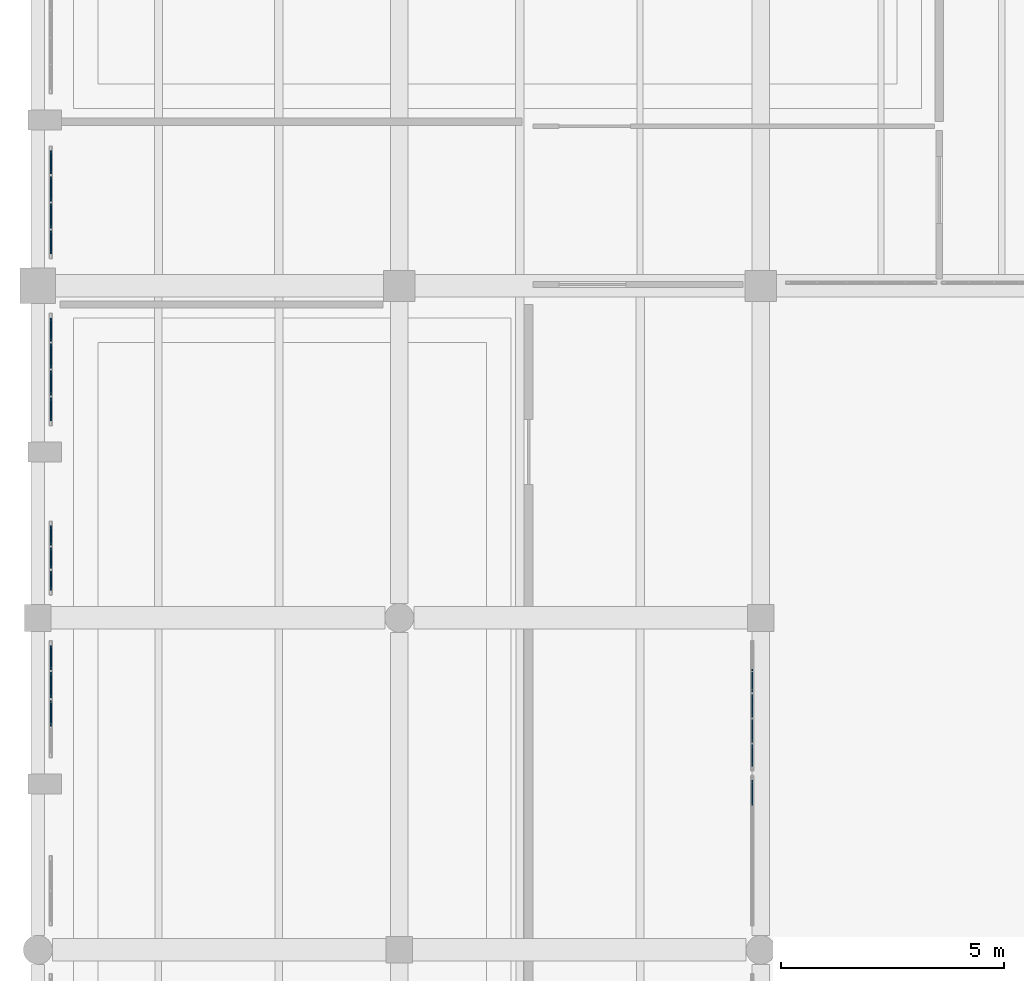
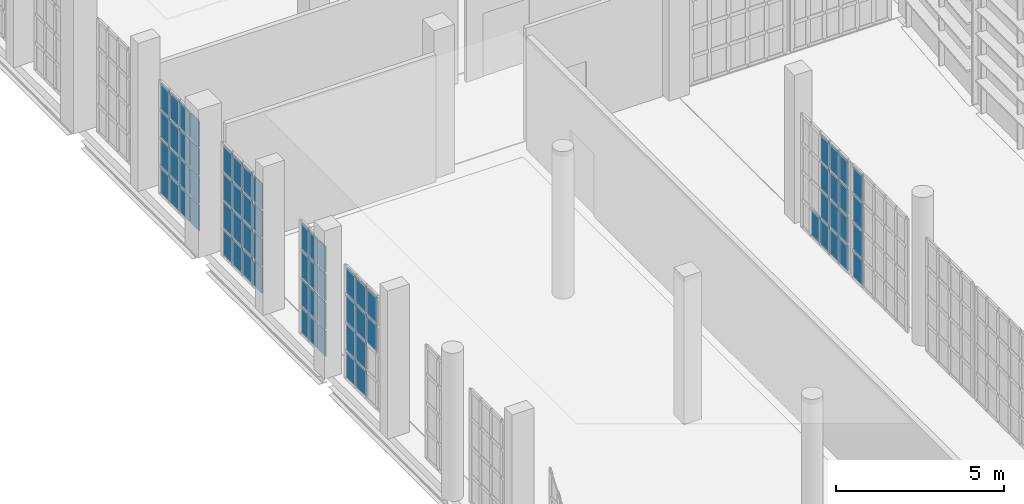
# One storey, part 324 of 372: 71 plates, 6 elements without a shape of their own.
"""IFC4 building model written with IfcOpenShell, lengths in metres."""

import ifcopenshell
import ifcopenshell.guid

model = None  # the IFC model being written
_history = None  # IfcOwnerHistory: only IFC2X3 demands one
_inside = {}  # id of a spatial element -> (the spatial element, [elements in it])
_under = {}  # id of a project, library or spatial element -> (it, [spatial elements below it])
_declared = {}  # id of a project -> (the project, [libraries it declares])
_typed = {}  # id of a type object -> (the type object, [elements of that type])
_made_of = {}  # id of a material, layer set ... -> (it, [elements and type objects made of it])


def new_model(schema):
    """Start an empty IFC model of exactly this schema.

    Asked for "IFC4X3", IfcOpenShell would pick the latest addendum, in which some entities
    have other attributes; the version numbers below select the first issue.
    IFC2X3 requires an IfcOwnerHistory on every rooted entity: one is made here for all.
    """
    global model, _history
    if schema == "IFC4X3":
        model = ifcopenshell.file(schema_version=(4, 3, 0, 0))
    else:
        model = ifcopenshell.file(schema=schema)
    _inside.clear()
    _under.clear()
    _declared.clear()
    _typed.clear()
    _made_of.clear()
    _history = None
    if model.schema == "IFC2X3":
        org = make("IfcOrganization", Name="unknown")
        user = make(
            "IfcPersonAndOrganization",
            ThePerson=make("IfcPerson", FamilyName="unknown"),
            TheOrganization=org,
        )
        app = make(
            "IfcApplication",
            ApplicationDeveloper=org,
            Version="unknown",
            ApplicationFullName="unknown",
            ApplicationIdentifier="unknown",
        )
        _history = make(
            "IfcOwnerHistory",
            OwningUser=user,
            OwningApplication=app,
            ChangeAction="ADDED",
            CreationDate=0,
        )
    return model


def make(cls, **values):
    """One entity of the class cls with the attributes given. An attribute that is None is left unset."""
    return model.create_entity(
        cls, **{name: value for name, value in values.items() if value is not None}
    )


def rooted(cls, **values):
    """An entity with a GlobalId (a new one), such as an element, a storey or a relation."""
    return make(cls, GlobalId=ifcopenshell.guid.new(), OwnerHistory=_history, **values)


def si_unit(unit_type, name, prefix=None):
    """IfcSIUnit, for example si_unit("LENGTHUNIT", "METRE", prefix="MILLI")."""
    return make("IfcSIUnit", UnitType=unit_type, Prefix=prefix, Name=name)


def assignment(units):
    """IfcUnitAssignment: the units of a project."""
    return None if units is None else make("IfcUnitAssignment", Units=units)


def point(xyz):
    """IfcCartesianPoint."""
    return None if xyz is None else make("IfcCartesianPoint", Coordinates=xyz)


def direction(xyz):
    """IfcDirection."""
    return None if xyz is None else make("IfcDirection", DirectionRatios=xyz)


def frame(location, z_axis=None, x_axis=None):
    """IfcAxis2Placement3D, a coordinate frame: its origin and axes. An axis left out is left unset."""
    return make(
        "IfcAxis2Placement3D",
        Location=point(location),
        Axis=direction(z_axis),
        RefDirection=direction(x_axis),
    )


def frame_2d(location, x_axis=None):
    """IfcAxis2Placement2D, a coordinate frame in the plane: its origin and x axis."""
    return make(
        "IfcAxis2Placement2D", Location=point(location), RefDirection=direction(x_axis)
    )


def origin():
    """The frame at (0, 0, 0) with its axes left unset."""
    return frame((0.0, 0.0, 0.0))


def origin_2d():
    """The frame at (0, 0) in the plane with its x axis left unset."""
    return frame_2d((0.0, 0.0))


def place(relative_to, where):
    """IfcLocalPlacement: puts the frame where relative to a parent placement (None: the world)."""
    return make(
        "IfcLocalPlacement", PlacementRelTo=relative_to, RelativePlacement=where
    )


def context(
    kind, dimensions, precision=None, world=None, true_north=None, identifier=None
):
    """IfcGeometricRepresentationContext, for example the 3D "Model" context."""
    return make(
        "IfcGeometricRepresentationContext",
        ContextIdentifier=identifier,
        ContextType=kind,
        CoordinateSpaceDimension=dimensions,
        Precision=precision,
        WorldCoordinateSystem=world,
        TrueNorth=true_north,
    )


def subcontext(parent, identifier, kind, view, scale=None):
    """IfcGeometricRepresentationSubContext, for example "Body" below "Model"."""
    return make(
        "IfcGeometricRepresentationSubContext",
        ContextIdentifier=identifier,
        ContextType=kind,
        ParentContext=parent,
        TargetScale=scale,
        TargetView=view,
    )


def project(units=None, contexts=None):
    """IfcProject with its units and contexts."""
    return rooted(
        "IfcProject",
        Name="project",
        RepresentationContexts=contexts,
        UnitsInContext=assignment(units),
    )


def spatial(cls, under=None, at=None, **own):
    """A site, building, storey or space (cls), placed at a placement, below another one or the project."""
    s = rooted(cls, ObjectPlacement=at, **own)
    if under is not None:
        _under.setdefault(under.id(), (under, []))[1].append(s)
    return s


def profile(cls, at=None, kind="AREA", **sizes):
    """A parametric profile (cls). Its sizes go by their IFC names, for example OverallWidth=200.0."""
    return make(cls, ProfileType=kind, Position=at, **sizes)


def rectangle(**sizes):
    """IfcRectangleProfileDef."""
    return profile("IfcRectangleProfileDef", **sizes)


def extrude(swept, where, along, depth):
    """IfcExtrudedAreaSolid: the profile swept, set in the frame where, extruded along a direction by depth."""
    return make(
        "IfcExtrudedAreaSolid",
        SweptArea=swept,
        Position=where,
        ExtrudedDirection=direction(along),
        Depth=depth,
    )


def shape(context_of_items, identifier, shape_type, items):
    """IfcShapeRepresentation: the items that make up one representation, for example the "Body"."""
    return make(
        "IfcShapeRepresentation",
        ContextOfItems=context_of_items,
        RepresentationIdentifier=identifier,
        RepresentationType=shape_type,
        Items=items,
    )


def material(Name=None, Category=None):
    """IfcMaterial."""
    return make("IfcMaterial", Name=Name, Category=Category)


def layer(
    of_material, thickness, ventilated=None, Name=None, Category=None, Priority=None
):
    """IfcMaterialLayer: one layer of a wall or slab, of a material (None: an air gap)."""
    return make(
        "IfcMaterialLayer",
        Material=of_material,
        LayerThickness=thickness,
        IsVentilated=ventilated,
        Name=Name,
        Category=Category,
        Priority=Priority,
    )


def layer_set(layers, Name=None):
    """IfcMaterialLayerSet."""
    return make("IfcMaterialLayerSet", MaterialLayers=layers, LayerSetName=Name)


def made_of(thing, what):
    """Note that an element or type object is made of a material, layer set ...; save() writes the relation."""
    if what is not None:
        _made_of.setdefault(what.id(), (what, []))[1].append(thing)
    return thing


def type_object(cls, material=None, **own):
    """A type object (cls), such as IfcWallType, which elements share."""
    return made_of(rooted(cls, **own), material)


def element(
    cls,
    number,
    at=None,
    inside=None,
    cuts=None,
    type_object=None,
    material=None,
    context=None,
    identifier="Body",
    shape_type=None,
    held_by="IfcProductDefinitionShape",
    body=None,
    shapes=None,
    **own,
):
    """One element of the class cls, such as IfcWall. Its Tag is "e" and its number.

    at: its placement. inside: the storey or other place that contains it. cuts: it is an
    opening in that element (IfcRelVoidsElement). A single representation is given by context,
    identifier, shape_type and body (its items); several are given by shapes. held_by: the class
    of the entity that holds the representations. save() writes the other relations.
    """
    e = rooted(cls, Tag="e%d" % number, ObjectPlacement=at, **own)
    if body is not None:
        shapes = [shape(context, identifier, shape_type, body)]
    if shapes is not None:
        e.Representation = make(held_by, Representations=shapes)
    if inside is not None:
        _inside.setdefault(inside.id(), (inside, []))[1].append(e)
    if cuts is not None:
        rooted(
            "IfcRelVoidsElement", RelatingBuildingElement=cuts, RelatedOpeningElement=e
        )
    if type_object is not None:
        _typed.setdefault(type_object.id(), (type_object, []))[1].append(e)
    return made_of(e, material)


def aggregate(whole, parts):
    """IfcRelAggregates: a whole, such as a stair, and the parts it consists of."""
    return rooted("IfcRelAggregates", RelatingObject=whole, RelatedObjects=parts)


def save(model, path):
    """Write the relations noted so far, then the file.

    IfcRelAggregates (storeys below a building ...), IfcRelContainedInSpatialStructure (elements
    in a storey), IfcRelDefinesByType, IfcRelAssociatesMaterial and IfcRelDeclares: one each for
    every whole, place, type object, material and project.
    """
    for whole, parts in _under.values():
        aggregate(whole, parts)
    for where, things in _inside.values():
        rooted(
            "IfcRelContainedInSpatialStructure",
            RelatedElements=things,
            RelatingStructure=where,
        )
    for kind, things in _typed.values():
        rooted("IfcRelDefinesByType", RelatedObjects=things, RelatingType=kind)
    for what, things in _made_of.values():
        rooted("IfcRelAssociatesMaterial", RelatedObjects=things, RelatingMaterial=what)
    for by, libraries in _declared.values():
        rooted("IfcRelDeclares", RelatingContext=by, RelatedDefinitions=libraries)
    model.write(path)


model = new_model("IFC4")

# Units and contexts
model_context = context("Model", 3, precision=1e-05, world=origin(), true_north=direction((0.0, 1.0)))
body_context = subcontext(model_context, "Body", "Model", "MODEL_VIEW")
ifc_project = project(units=[si_unit("LENGTHUNIT", "METRE"), si_unit("AREAUNIT", "SQUARE_METRE"), si_unit("VOLUMEUNIT", "CUBIC_METRE"), si_unit("PLANEANGLEUNIT", "RADIAN"), si_unit("MASSUNIT", "GRAM", prefix="KILO")], contexts=[model_context])

# Site, building, storey
site_placement = place(None, origin())
site = spatial("IfcSite", under=ifc_project, at=site_placement, CompositionType="ELEMENT")
building_placement = place(site_placement, origin())
building = spatial("IfcBuilding", under=site, at=building_placement, Name="Kaelora Sail Theatre", CompositionType="ELEMENT")
storey_placement = place(building_placement, origin())
storey = spatial("IfcBuildingStorey", under=building, at=storey_placement, Name="L00", CompositionType="ELEMENT", Elevation=0.0)

# Curtain wall, plates
ifc_material_1 = material(Name="Anodised aluminium and solar-control low-E IGU", Category="aluminium")
curtain_wall_type_1 = type_object("IfcCurtainWallType", Name="ARC-CW-CW-FOY1", PredefinedType="NOTDEFINED", material=ifc_material_1)
curtain_wall_1_placement = place(storey_placement, origin())
curtain_wall_1 = element("IfcCurtainWall", 1, at=curtain_wall_1_placement, inside=storey, type_object=curtain_wall_type_1, Name="Glazed Colonnade/Courtyard Curtain Wall COLW-W-L00-09", PredefinedType="NOTDEFINED")
ifc_material_2 = material(Name="Solar-control laminated low-E glass", Category="glass")
ifc_layer = layer(ifc_material_2, 0.031982421875)
ifc_layer_set = layer_set([ifc_layer], Name="Solar-control laminated low-E glass")
plate_type = type_object("IfcPlateType", Name="ARC-CW-PNL", PredefinedType="CURTAIN_PANEL", material=ifc_layer_set)
plate_1_placement = place(storey_placement, frame((1.7900390625, 51.44189453125, 2.103515625), z_axis=(0.0, 0.0, 1.0), x_axis=(0.0, 1.0, 0.0)))
plate_1 = element("IfcPlate", 2, at=plate_1_placement, type_object=plate_type, Name="CW-FOY1 panel 2.3", PredefinedType="CURTAIN_PANEL", context=body_context, shape_type="SweptSolid", body=[
    extrude(rectangle(XDim=0.5712890625, YDim=0.031982421875, at=origin_2d()), origin(), (0.0, 0.0, 1.0), 0.964111328125),
])
plate_2_placement = place(storey_placement, frame((1.7900390625, 51.44189453125, 3.1376953125), z_axis=(0.0, 0.0, 1.0), x_axis=(0.0, 1.0, 0.0)))
plate_2 = element("IfcPlate", 3, at=plate_2_placement, type_object=plate_type, Name="CW-FOY1 panel 2.4", PredefinedType="CURTAIN_PANEL", context=body_context, shape_type="SweptSolid", body=[
    extrude(rectangle(XDim=0.5712890625, YDim=0.031982421875, at=origin_2d()), origin(), (0.0, 0.0, 1.0), 0.92919921875),
])
plate_3_placement = place(storey_placement, frame((1.7900390625, 52.0732421875, 0.070068359375), z_axis=(0.0, 0.0, 1.0), x_axis=(0.0, 1.0, 0.0)))
plate_3 = element("IfcPlate", 4, at=plate_3_placement, type_object=plate_type, Name="CW-FOY1 panel 3.1", PredefinedType="CURTAIN_PANEL", context=body_context, shape_type="SweptSolid", body=[
    extrude(rectangle(XDim=0.5712890625, YDim=0.031982421875, at=origin_2d()), origin(), (0.0, 0.0, 1.0), 0.92919921875),
])
plate_4_placement = place(storey_placement, frame((1.7900390625, 52.0732421875, 1.069091796875), z_axis=(0.0, 0.0, 1.0), x_axis=(0.0, 1.0, 0.0)))
plate_4 = element("IfcPlate", 5, at=plate_4_placement, type_object=plate_type, Name="CW-FOY1 panel 3.2", PredefinedType="CURTAIN_PANEL", context=body_context, shape_type="SweptSolid", body=[
    extrude(rectangle(XDim=0.5712890625, YDim=0.031982421875, at=origin_2d()), origin(), (0.0, 0.0, 1.0), 0.96435546875),
])
plate_5_placement = place(storey_placement, frame((1.7900390625, 52.0732421875, 2.103515625), z_axis=(0.0, 0.0, 1.0), x_axis=(0.0, 1.0, 0.0)))
plate_5 = element("IfcPlate", 6, at=plate_5_placement, type_object=plate_type, Name="CW-FOY1 panel 3.3", PredefinedType="CURTAIN_PANEL", context=body_context, shape_type="SweptSolid", body=[
    extrude(rectangle(XDim=0.5712890625, YDim=0.031982421875, at=origin_2d()), origin(), (0.0, 0.0, 1.0), 0.964111328125),
])
plate_6_placement = place(storey_placement, frame((1.7900390625, 52.0732421875, 3.1376953125), z_axis=(0.0, 0.0, 1.0), x_axis=(0.0, 1.0, 0.0)))
plate_6 = element("IfcPlate", 7, at=plate_6_placement, type_object=plate_type, Name="CW-FOY1 panel 3.4", PredefinedType="CURTAIN_PANEL", context=body_context, shape_type="SweptSolid", body=[
    extrude(rectangle(XDim=0.5712890625, YDim=0.031982421875, at=origin_2d()), origin(), (0.0, 0.0, 1.0), 0.92919921875),
])
plate_7_placement = place(storey_placement, frame((1.7900390625, 52.689453125, 0.070068359375), z_axis=(0.0, 0.0, 1.0), x_axis=(0.0, 1.0, 0.0)))
plate_7 = element("IfcPlate", 8, at=plate_7_placement, type_object=plate_type, Name="CW-FOY1 panel 4.1", PredefinedType="CURTAIN_PANEL", context=body_context, shape_type="SweptSolid", body=[
    extrude(rectangle(XDim=0.541259765625, YDim=0.031982421875, at=origin_2d()), origin(), (0.0, 0.0, 1.0), 0.92919921875),
])
plate_8_placement = place(storey_placement, frame((1.7900390625, 52.689453125, 1.069091796875), z_axis=(0.0, 0.0, 1.0), x_axis=(0.0, 1.0, 0.0)))
plate_8 = element("IfcPlate", 9, at=plate_8_placement, type_object=plate_type, Name="CW-FOY1 panel 4.2", PredefinedType="CURTAIN_PANEL", context=body_context, shape_type="SweptSolid", body=[
    extrude(rectangle(XDim=0.541259765625, YDim=0.031982421875, at=origin_2d()), origin(), (0.0, 0.0, 1.0), 0.96435546875),
])
plate_9_placement = place(storey_placement, frame((1.7900390625, 52.689453125, 2.103515625), z_axis=(0.0, 0.0, 1.0), x_axis=(0.0, 1.0, 0.0)))
plate_9 = element("IfcPlate", 10, at=plate_9_placement, type_object=plate_type, Name="CW-FOY1 panel 4.3", PredefinedType="CURTAIN_PANEL", context=body_context, shape_type="SweptSolid", body=[
    extrude(rectangle(XDim=0.541259765625, YDim=0.031982421875, at=origin_2d()), origin(), (0.0, 0.0, 1.0), 0.964111328125),
])
plate_10_placement = place(storey_placement, frame((1.7900390625, 52.689453125, 3.1376953125), z_axis=(0.0, 0.0, 1.0), x_axis=(0.0, 1.0, 0.0)))
plate_10 = element("IfcPlate", 11, at=plate_10_placement, type_object=plate_type, Name="CW-FOY1 panel 4.4", PredefinedType="CURTAIN_PANEL", context=body_context, shape_type="SweptSolid", body=[
    extrude(rectangle(XDim=0.541259765625, YDim=0.031982421875, at=origin_2d()), origin(), (0.0, 0.0, 1.0), 0.92919921875),
])
aggregate(curtain_wall_1, [plate_1, plate_2, plate_3, plate_4, plate_5, plate_6, plate_7, plate_8, plate_9, plate_10])

curtain_wall_2_placement = place(storey_placement, origin())
curtain_wall_2 = element("IfcCurtainWall", 12, at=curtain_wall_2_placement, inside=storey, type_object=curtain_wall_type_1, Name="Glazed Colonnade/Courtyard Curtain Wall COLW-W-L00-10", PredefinedType="NOTDEFINED")
plate_11_placement = place(storey_placement, frame((1.7900390625, 54.4150390625, 0.070068359375), z_axis=(0.0, 0.0, 1.0), x_axis=(0.0, 1.0, 0.0)))
plate_11 = element("IfcPlate", 13, at=plate_11_placement, type_object=plate_type, Name="CW-FOY1 panel 1.1", PredefinedType="CURTAIN_PANEL", context=body_context, shape_type="SweptSolid", body=[
    extrude(rectangle(XDim=0.429931640625, YDim=0.031982421875, at=origin_2d()), origin(), (0.0, 0.0, 1.0), 0.92919921875),
])
plate_12_placement = place(storey_placement, frame((1.7900390625, 54.4150390625, 1.069091796875), z_axis=(0.0, 0.0, 1.0), x_axis=(0.0, 1.0, 0.0)))
plate_12 = element("IfcPlate", 14, at=plate_12_placement, type_object=plate_type, Name="CW-FOY1 panel 1.2", PredefinedType="CURTAIN_PANEL", context=body_context, shape_type="SweptSolid", body=[
    extrude(rectangle(XDim=0.429931640625, YDim=0.031982421875, at=origin_2d()), origin(), (0.0, 0.0, 1.0), 0.96435546875),
])
plate_13_placement = place(storey_placement, frame((1.7900390625, 54.4150390625, 2.103515625), z_axis=(0.0, 0.0, 1.0), x_axis=(0.0, 1.0, 0.0)))
plate_13 = element("IfcPlate", 15, at=plate_13_placement, type_object=plate_type, Name="CW-FOY1 panel 1.3", PredefinedType="CURTAIN_PANEL", context=body_context, shape_type="SweptSolid", body=[
    extrude(rectangle(XDim=0.429931640625, YDim=0.031982421875, at=origin_2d()), origin(), (0.0, 0.0, 1.0), 0.964111328125),
])
plate_14_placement = place(storey_placement, frame((1.7900390625, 54.4150390625, 3.1376953125), z_axis=(0.0, 0.0, 1.0), x_axis=(0.0, 1.0, 0.0)))
plate_14 = element("IfcPlate", 16, at=plate_14_placement, type_object=plate_type, Name="CW-FOY1 panel 1.4", PredefinedType="CURTAIN_PANEL", context=body_context, shape_type="SweptSolid", body=[
    extrude(rectangle(XDim=0.429931640625, YDim=0.031982421875, at=origin_2d()), origin(), (0.0, 0.0, 1.0), 0.92919921875),
])
plate_15_placement = place(storey_placement, frame((1.7900390625, 54.919921875, 0.070068359375), z_axis=(0.0, 0.0, 1.0), x_axis=(0.0, 1.0, 0.0)))
plate_15 = element("IfcPlate", 17, at=plate_15_placement, type_object=plate_type, Name="CW-FOY1 panel 2.1", PredefinedType="CURTAIN_PANEL", context=body_context, shape_type="SweptSolid", body=[
    extrude(rectangle(XDim=0.4599609375, YDim=0.031982421875, at=origin_2d()), origin(), (0.0, 0.0, 1.0), 0.92919921875),
])
plate_16_placement = place(storey_placement, frame((1.7900390625, 54.919921875, 1.069091796875), z_axis=(0.0, 0.0, 1.0), x_axis=(0.0, 1.0, 0.0)))
plate_16 = element("IfcPlate", 18, at=plate_16_placement, type_object=plate_type, Name="CW-FOY1 panel 2.2", PredefinedType="CURTAIN_PANEL", context=body_context, shape_type="SweptSolid", body=[
    extrude(rectangle(XDim=0.4599609375, YDim=0.031982421875, at=origin_2d()), origin(), (0.0, 0.0, 1.0), 0.96435546875),
])
plate_17_placement = place(storey_placement, frame((1.7900390625, 54.919921875, 2.103515625), z_axis=(0.0, 0.0, 1.0), x_axis=(0.0, 1.0, 0.0)))
plate_17 = element("IfcPlate", 19, at=plate_17_placement, type_object=plate_type, Name="CW-FOY1 panel 2.3", PredefinedType="CURTAIN_PANEL", context=body_context, shape_type="SweptSolid", body=[
    extrude(rectangle(XDim=0.4599609375, YDim=0.031982421875, at=origin_2d()), origin(), (0.0, 0.0, 1.0), 0.964111328125),
])
plate_18_placement = place(storey_placement, frame((1.7900390625, 54.919921875, 3.1376953125), z_axis=(0.0, 0.0, 1.0), x_axis=(0.0, 1.0, 0.0)))
plate_18 = element("IfcPlate", 20, at=plate_18_placement, type_object=plate_type, Name="CW-FOY1 panel 2.4", PredefinedType="CURTAIN_PANEL", context=body_context, shape_type="SweptSolid", body=[
    extrude(rectangle(XDim=0.4599609375, YDim=0.031982421875, at=origin_2d()), origin(), (0.0, 0.0, 1.0), 0.92919921875),
])
plate_19_placement = place(storey_placement, frame((1.7900390625, 55.425048828125, 0.070068359375), z_axis=(0.0, 0.0, 1.0), x_axis=(0.0, 1.0, 0.0)))
plate_19 = element("IfcPlate", 21, at=plate_19_placement, type_object=plate_type, Name="CW-FOY1 panel 3.1", PredefinedType="CURTAIN_PANEL", context=body_context, shape_type="SweptSolid", body=[
    extrude(rectangle(XDim=0.429931640625, YDim=0.031982421875, at=origin_2d()), origin(), (0.0, 0.0, 1.0), 0.92919921875),
])
plate_20_placement = place(storey_placement, frame((1.7900390625, 55.425048828125, 1.069091796875), z_axis=(0.0, 0.0, 1.0), x_axis=(0.0, 1.0, 0.0)))
plate_20 = element("IfcPlate", 22, at=plate_20_placement, type_object=plate_type, Name="CW-FOY1 panel 3.2", PredefinedType="CURTAIN_PANEL", context=body_context, shape_type="SweptSolid", body=[
    extrude(rectangle(XDim=0.429931640625, YDim=0.031982421875, at=origin_2d()), origin(), (0.0, 0.0, 1.0), 0.96435546875),
])
plate_21_placement = place(storey_placement, frame((1.7900390625, 55.425048828125, 2.103515625), z_axis=(0.0, 0.0, 1.0), x_axis=(0.0, 1.0, 0.0)))
plate_21 = element("IfcPlate", 23, at=plate_21_placement, type_object=plate_type, Name="CW-FOY1 panel 3.3", PredefinedType="CURTAIN_PANEL", context=body_context, shape_type="SweptSolid", body=[
    extrude(rectangle(XDim=0.429931640625, YDim=0.031982421875, at=origin_2d()), origin(), (0.0, 0.0, 1.0), 0.964111328125),
])
plate_22_placement = place(storey_placement, frame((1.7900390625, 55.425048828125, 3.1376953125), z_axis=(0.0, 0.0, 1.0), x_axis=(0.0, 1.0, 0.0)))
plate_22 = element("IfcPlate", 24, at=plate_22_placement, type_object=plate_type, Name="CW-FOY1 panel 3.4", PredefinedType="CURTAIN_PANEL", context=body_context, shape_type="SweptSolid", body=[
    extrude(rectangle(XDim=0.429931640625, YDim=0.031982421875, at=origin_2d()), origin(), (0.0, 0.0, 1.0), 0.92919921875),
])
aggregate(curtain_wall_2, [plate_11, plate_12, plate_13, plate_14, plate_15, plate_16, plate_17, plate_18, plate_19, plate_20, plate_21, plate_22])

curtain_wall_3_placement = place(storey_placement, origin())
curtain_wall_3 = element("IfcCurtainWall", 25, at=curtain_wall_3_placement, inside=storey, type_object=curtain_wall_type_1, Name="Glazed Colonnade/Courtyard Curtain Wall COLW-W-L00-12", PredefinedType="NOTDEFINED")
plate_23_placement = place(storey_placement, frame((1.7900390625, 58.253173828125, 0.070068359375), z_axis=(0.0, 0.0, 1.0), x_axis=(0.0, 1.0, 0.0)))
plate_23 = element("IfcPlate", 26, at=plate_23_placement, type_object=plate_type, Name="CW-FOY1 panel 1.1", PredefinedType="CURTAIN_PANEL", context=body_context, shape_type="SweptSolid", body=[
    extrude(rectangle(XDim=0.516357421875, YDim=0.031982421875, at=origin_2d()), origin(), (0.0, 0.0, 1.0), 0.92919921875),
])
plate_24_placement = place(storey_placement, frame((1.7900390625, 58.253173828125, 1.069091796875), z_axis=(0.0, 0.0, 1.0), x_axis=(0.0, 1.0, 0.0)))
plate_24 = element("IfcPlate", 27, at=plate_24_placement, type_object=plate_type, Name="CW-FOY1 panel 1.2", PredefinedType="CURTAIN_PANEL", context=body_context, shape_type="SweptSolid", body=[
    extrude(rectangle(XDim=0.516357421875, YDim=0.031982421875, at=origin_2d()), origin(), (0.0, 0.0, 1.0), 0.96435546875),
])
plate_25_placement = place(storey_placement, frame((1.7900390625, 58.253173828125, 2.103515625), z_axis=(0.0, 0.0, 1.0), x_axis=(0.0, 1.0, 0.0)))
plate_25 = element("IfcPlate", 28, at=plate_25_placement, type_object=plate_type, Name="CW-FOY1 panel 1.3", PredefinedType="CURTAIN_PANEL", context=body_context, shape_type="SweptSolid", body=[
    extrude(rectangle(XDim=0.516357421875, YDim=0.031982421875, at=origin_2d()), origin(), (0.0, 0.0, 1.0), 0.964111328125),
])
plate_26_placement = place(storey_placement, frame((1.7900390625, 58.253173828125, 3.1376953125), z_axis=(0.0, 0.0, 1.0), x_axis=(0.0, 1.0, 0.0)))
plate_26 = element("IfcPlate", 29, at=plate_26_placement, type_object=plate_type, Name="CW-FOY1 panel 1.4", PredefinedType="CURTAIN_PANEL", context=body_context, shape_type="SweptSolid", body=[
    extrude(rectangle(XDim=0.516357421875, YDim=0.031982421875, at=origin_2d()), origin(), (0.0, 0.0, 1.0), 0.92919921875),
])
plate_27_placement = place(storey_placement, frame((1.7900390625, 58.844482421875, 0.070068359375), z_axis=(0.0, 0.0, 1.0), x_axis=(0.0, 1.0, 0.0)))
plate_27 = element("IfcPlate", 30, at=plate_27_placement, type_object=plate_type, Name="CW-FOY1 panel 2.1", PredefinedType="CURTAIN_PANEL", context=body_context, shape_type="SweptSolid", body=[
    extrude(rectangle(XDim=0.546142578125, YDim=0.031982421875, at=origin_2d()), origin(), (0.0, 0.0, 1.0), 0.92919921875),
])
plate_28_placement = place(storey_placement, frame((1.7900390625, 58.844482421875, 1.069091796875), z_axis=(0.0, 0.0, 1.0), x_axis=(0.0, 1.0, 0.0)))
plate_28 = element("IfcPlate", 31, at=plate_28_placement, type_object=plate_type, Name="CW-FOY1 panel 2.2", PredefinedType="CURTAIN_PANEL", context=body_context, shape_type="SweptSolid", body=[
    extrude(rectangle(XDim=0.546142578125, YDim=0.031982421875, at=origin_2d()), origin(), (0.0, 0.0, 1.0), 0.96435546875),
])
plate_29_placement = place(storey_placement, frame((1.7900390625, 58.844482421875, 2.103515625), z_axis=(0.0, 0.0, 1.0), x_axis=(0.0, 1.0, 0.0)))
plate_29 = element("IfcPlate", 32, at=plate_29_placement, type_object=plate_type, Name="CW-FOY1 panel 2.3", PredefinedType="CURTAIN_PANEL", context=body_context, shape_type="SweptSolid", body=[
    extrude(rectangle(XDim=0.546142578125, YDim=0.031982421875, at=origin_2d()), origin(), (0.0, 0.0, 1.0), 0.964111328125),
])
plate_30_placement = place(storey_placement, frame((1.7900390625, 58.844482421875, 3.1376953125), z_axis=(0.0, 0.0, 1.0), x_axis=(0.0, 1.0, 0.0)))
plate_30 = element("IfcPlate", 33, at=plate_30_placement, type_object=plate_type, Name="CW-FOY1 panel 2.4", PredefinedType="CURTAIN_PANEL", context=body_context, shape_type="SweptSolid", body=[
    extrude(rectangle(XDim=0.546142578125, YDim=0.031982421875, at=origin_2d()), origin(), (0.0, 0.0, 1.0), 0.92919921875),
])
plate_31_placement = place(storey_placement, frame((1.7900390625, 59.45068359375, 0.070068359375), z_axis=(0.0, 0.0, 1.0), x_axis=(0.0, 1.0, 0.0)))
plate_31 = element("IfcPlate", 34, at=plate_31_placement, type_object=plate_type, Name="CW-FOY1 panel 3.1", PredefinedType="CURTAIN_PANEL", context=body_context, shape_type="SweptSolid", body=[
    extrude(rectangle(XDim=0.546142578125, YDim=0.031982421875, at=origin_2d()), origin(), (0.0, 0.0, 1.0), 0.92919921875),
])
plate_32_placement = place(storey_placement, frame((1.7900390625, 59.45068359375, 1.069091796875), z_axis=(0.0, 0.0, 1.0), x_axis=(0.0, 1.0, 0.0)))
plate_32 = element("IfcPlate", 35, at=plate_32_placement, type_object=plate_type, Name="CW-FOY1 panel 3.2", PredefinedType="CURTAIN_PANEL", context=body_context, shape_type="SweptSolid", body=[
    extrude(rectangle(XDim=0.546142578125, YDim=0.031982421875, at=origin_2d()), origin(), (0.0, 0.0, 1.0), 0.96435546875),
])
plate_33_placement = place(storey_placement, frame((1.7900390625, 59.45068359375, 2.103515625), z_axis=(0.0, 0.0, 1.0), x_axis=(0.0, 1.0, 0.0)))
plate_33 = element("IfcPlate", 36, at=plate_33_placement, type_object=plate_type, Name="CW-FOY1 panel 3.3", PredefinedType="CURTAIN_PANEL", context=body_context, shape_type="SweptSolid", body=[
    extrude(rectangle(XDim=0.546142578125, YDim=0.031982421875, at=origin_2d()), origin(), (0.0, 0.0, 1.0), 0.964111328125),
])
plate_34_placement = place(storey_placement, frame((1.7900390625, 59.45068359375, 3.1376953125), z_axis=(0.0, 0.0, 1.0), x_axis=(0.0, 1.0, 0.0)))
plate_34 = element("IfcPlate", 37, at=plate_34_placement, type_object=plate_type, Name="CW-FOY1 panel 3.4", PredefinedType="CURTAIN_PANEL", context=body_context, shape_type="SweptSolid", body=[
    extrude(rectangle(XDim=0.546142578125, YDim=0.031982421875, at=origin_2d()), origin(), (0.0, 0.0, 1.0), 0.92919921875),
])
plate_35_placement = place(storey_placement, frame((1.7900390625, 60.0419921875, 0.070068359375), z_axis=(0.0, 0.0, 1.0), x_axis=(0.0, 1.0, 0.0)))
plate_35 = element("IfcPlate", 38, at=plate_35_placement, type_object=plate_type, Name="CW-FOY1 panel 4.1", PredefinedType="CURTAIN_PANEL", context=body_context, shape_type="SweptSolid", body=[
    extrude(rectangle(XDim=0.516357421875, YDim=0.031982421875, at=origin_2d()), origin(), (0.0, 0.0, 1.0), 0.92919921875),
])
plate_36_placement = place(storey_placement, frame((1.7900390625, 60.0419921875, 1.069091796875), z_axis=(0.0, 0.0, 1.0), x_axis=(0.0, 1.0, 0.0)))
plate_36 = element("IfcPlate", 39, at=plate_36_placement, type_object=plate_type, Name="CW-FOY1 panel 4.2", PredefinedType="CURTAIN_PANEL", context=body_context, shape_type="SweptSolid", body=[
    extrude(rectangle(XDim=0.516357421875, YDim=0.031982421875, at=origin_2d()), origin(), (0.0, 0.0, 1.0), 0.96435546875),
])
plate_37_placement = place(storey_placement, frame((1.7900390625, 60.0419921875, 2.103515625), z_axis=(0.0, 0.0, 1.0), x_axis=(0.0, 1.0, 0.0)))
plate_37 = element("IfcPlate", 40, at=plate_37_placement, type_object=plate_type, Name="CW-FOY1 panel 4.3", PredefinedType="CURTAIN_PANEL", context=body_context, shape_type="SweptSolid", body=[
    extrude(rectangle(XDim=0.516357421875, YDim=0.031982421875, at=origin_2d()), origin(), (0.0, 0.0, 1.0), 0.964111328125),
])
plate_38_placement = place(storey_placement, frame((1.7900390625, 60.0419921875, 3.1376953125), z_axis=(0.0, 0.0, 1.0), x_axis=(0.0, 1.0, 0.0)))
plate_38 = element("IfcPlate", 41, at=plate_38_placement, type_object=plate_type, Name="CW-FOY1 panel 4.4", PredefinedType="CURTAIN_PANEL", context=body_context, shape_type="SweptSolid", body=[
    extrude(rectangle(XDim=0.516357421875, YDim=0.031982421875, at=origin_2d()), origin(), (0.0, 0.0, 1.0), 0.92919921875),
])
aggregate(curtain_wall_3, [plate_23, plate_24, plate_25, plate_26, plate_27, plate_28, plate_29, plate_30, plate_31, plate_32, plate_33, plate_34, plate_35, plate_36, plate_37, plate_38])

ifc_material_3 = material(Name="Anodised aluminium and solar-control low-E IGU", Category="aluminium")
curtain_wall_type_2 = type_object("IfcCurtainWallType", Name="ARC-CW-CW-FOY2", PredefinedType="NOTDEFINED", material=ifc_material_3)
curtain_wall_4_placement = place(storey_placement, origin())
curtain_wall_4 = element("IfcCurtainWall", 42, at=curtain_wall_4_placement, inside=storey, type_object=curtain_wall_type_2, Name="Glazed Colonnade/Courtyard Curtain Wall COLW-E-L00-05", PredefinedType="NOTDEFINED")
plate_39_placement = place(storey_placement, frame((17.510009765625, 49.657470703125, 0.070068359375), z_axis=(0.0, 0.0, 1.0), x_axis=(0.0, 1.0, 0.0)))
plate_39 = element("IfcPlate", 43, at=plate_39_placement, type_object=plate_type, Name="CW-FOY2 panel 5.1", PredefinedType="CURTAIN_PANEL", context=body_context, shape_type="SweptSolid", body=[
    extrude(rectangle(XDim=0.56494140625, YDim=0.031982421875, at=origin_2d()), origin(), (0.0, 0.0, 1.0), 0.92919921875),
])
plate_40_placement = place(storey_placement, frame((17.510009765625, 49.657470703125, 1.069091796875), z_axis=(0.0, 0.0, 1.0), x_axis=(0.0, 1.0, 0.0)))
plate_40 = element("IfcPlate", 44, at=plate_40_placement, type_object=plate_type, Name="CW-FOY2 panel 5.2", PredefinedType="CURTAIN_PANEL", context=body_context, shape_type="SweptSolid", body=[
    extrude(rectangle(XDim=0.56494140625, YDim=0.031982421875, at=origin_2d()), origin(), (0.0, 0.0, 1.0), 0.96435546875),
])
plate_41_placement = place(storey_placement, frame((17.510009765625, 49.657470703125, 2.103515625), z_axis=(0.0, 0.0, 1.0), x_axis=(0.0, 1.0, 0.0)))
plate_41 = element("IfcPlate", 45, at=plate_41_placement, type_object=plate_type, Name="CW-FOY2 panel 5.3", PredefinedType="CURTAIN_PANEL", context=body_context, shape_type="SweptSolid", body=[
    extrude(rectangle(XDim=0.56494140625, YDim=0.031982421875, at=origin_2d()), origin(), (0.0, 0.0, 1.0), 0.964111328125),
])
plate_42_placement = place(storey_placement, frame((17.510009765625, 49.657470703125, 3.1376953125), z_axis=(0.0, 0.0, 1.0), x_axis=(0.0, 1.0, 0.0)))
plate_42 = element("IfcPlate", 46, at=plate_42_placement, type_object=plate_type, Name="CW-FOY2 panel 5.4", PredefinedType="CURTAIN_PANEL", context=body_context, shape_type="SweptSolid", body=[
    extrude(rectangle(XDim=0.56494140625, YDim=0.031982421875, at=origin_2d()), origin(), (0.0, 0.0, 1.0), 0.92919921875),
])
aggregate(curtain_wall_4, [plate_39, plate_40, plate_41, plate_42])

curtain_wall_5_placement = place(storey_placement, origin())
curtain_wall_5 = element("IfcCurtainWall", 47, at=curtain_wall_5_placement, inside=storey, type_object=curtain_wall_type_2, Name="Glazed Colonnade/Courtyard Curtain Wall COLW-E-L00-06", PredefinedType="NOTDEFINED")
plate_43_placement = place(storey_placement, frame((17.510009765625, 50.4970703125, 0.070068359375), z_axis=(0.0, 0.0, 1.0), x_axis=(0.0, 1.0, 0.0)))
plate_43 = element("IfcPlate", 48, at=plate_43_placement, type_object=plate_type, Name="CW-FOY2 panel 1.1", PredefinedType="CURTAIN_PANEL", context=body_context, shape_type="SweptSolid", body=[
    extrude(rectangle(XDim=0.47412109375, YDim=0.031982421875, at=origin_2d()), origin(), (0.0, 0.0, 1.0), 0.92919921875),
])
plate_44_placement = place(storey_placement, frame((17.510009765625, 50.4970703125, 1.069091796875), z_axis=(0.0, 0.0, 1.0), x_axis=(0.0, 1.0, 0.0)))
plate_44 = element("IfcPlate", 49, at=plate_44_placement, type_object=plate_type, Name="CW-FOY2 panel 1.2", PredefinedType="CURTAIN_PANEL", context=body_context, shape_type="SweptSolid", body=[
    extrude(rectangle(XDim=0.47412109375, YDim=0.031982421875, at=origin_2d()), origin(), (0.0, 0.0, 1.0), 0.96435546875),
])
plate_45_placement = place(storey_placement, frame((17.510009765625, 50.4970703125, 2.103515625), z_axis=(0.0, 0.0, 1.0), x_axis=(0.0, 1.0, 0.0)))
plate_45 = element("IfcPlate", 50, at=plate_45_placement, type_object=plate_type, Name="CW-FOY2 panel 1.3", PredefinedType="CURTAIN_PANEL", context=body_context, shape_type="SweptSolid", body=[
    extrude(rectangle(XDim=0.47412109375, YDim=0.031982421875, at=origin_2d()), origin(), (0.0, 0.0, 1.0), 0.964111328125),
])
plate_46_placement = place(storey_placement, frame((17.510009765625, 50.4970703125, 3.1376953125), z_axis=(0.0, 0.0, 1.0), x_axis=(0.0, 1.0, 0.0)))
plate_46 = element("IfcPlate", 51, at=plate_46_placement, type_object=plate_type, Name="CW-FOY2 panel 1.4", PredefinedType="CURTAIN_PANEL", context=body_context, shape_type="SweptSolid", body=[
    extrude(rectangle(XDim=0.47412109375, YDim=0.031982421875, at=origin_2d()), origin(), (0.0, 0.0, 1.0), 0.92919921875),
])
plate_47_placement = place(storey_placement, frame((17.510009765625, 51.0458984375, 0.070068359375), z_axis=(0.0, 0.0, 1.0), x_axis=(0.0, 1.0, 0.0)))
plate_47 = element("IfcPlate", 52, at=plate_47_placement, type_object=plate_type, Name="CW-FOY2 panel 2.1", PredefinedType="CURTAIN_PANEL", context=body_context, shape_type="SweptSolid", body=[
    extrude(rectangle(XDim=0.50390625, YDim=0.031982421875, at=origin_2d()), origin(), (0.0, 0.0, 1.0), 0.92919921875),
])
plate_48_placement = place(storey_placement, frame((17.510009765625, 51.0458984375, 1.069091796875), z_axis=(0.0, 0.0, 1.0), x_axis=(0.0, 1.0, 0.0)))
plate_48 = element("IfcPlate", 53, at=plate_48_placement, type_object=plate_type, Name="CW-FOY2 panel 2.2", PredefinedType="CURTAIN_PANEL", context=body_context, shape_type="SweptSolid", body=[
    extrude(rectangle(XDim=0.50390625, YDim=0.031982421875, at=origin_2d()), origin(), (0.0, 0.0, 1.0), 0.96435546875),
])
plate_49_placement = place(storey_placement, frame((17.510009765625, 51.0458984375, 2.103515625), z_axis=(0.0, 0.0, 1.0), x_axis=(0.0, 1.0, 0.0)))
plate_49 = element("IfcPlate", 54, at=plate_49_placement, type_object=plate_type, Name="CW-FOY2 panel 2.3", PredefinedType="CURTAIN_PANEL", context=body_context, shape_type="SweptSolid", body=[
    extrude(rectangle(XDim=0.50390625, YDim=0.031982421875, at=origin_2d()), origin(), (0.0, 0.0, 1.0), 0.964111328125),
])
plate_50_placement = place(storey_placement, frame((17.510009765625, 51.0458984375, 3.1376953125), z_axis=(0.0, 0.0, 1.0), x_axis=(0.0, 1.0, 0.0)))
plate_50 = element("IfcPlate", 55, at=plate_50_placement, type_object=plate_type, Name="CW-FOY2 panel 2.4", PredefinedType="CURTAIN_PANEL", context=body_context, shape_type="SweptSolid", body=[
    extrude(rectangle(XDim=0.50390625, YDim=0.031982421875, at=origin_2d()), origin(), (0.0, 0.0, 1.0), 0.92919921875),
])
plate_51_placement = place(storey_placement, frame((17.510009765625, 51.610107421875, 0.070068359375), z_axis=(0.0, 0.0, 1.0), x_axis=(0.0, 1.0, 0.0)))
plate_51 = element("IfcPlate", 56, at=plate_51_placement, type_object=plate_type, Name="CW-FOY2 panel 3.1", PredefinedType="CURTAIN_PANEL", context=body_context, shape_type="SweptSolid", body=[
    extrude(rectangle(XDim=0.50390625, YDim=0.031982421875, at=origin_2d()), origin(), (0.0, 0.0, 1.0), 0.92919921875),
])
plate_52_placement = place(storey_placement, frame((17.510009765625, 51.610107421875, 1.069091796875), z_axis=(0.0, 0.0, 1.0), x_axis=(0.0, 1.0, 0.0)))
plate_52 = element("IfcPlate", 57, at=plate_52_placement, type_object=plate_type, Name="CW-FOY2 panel 3.2", PredefinedType="CURTAIN_PANEL", context=body_context, shape_type="SweptSolid", body=[
    extrude(rectangle(XDim=0.50390625, YDim=0.031982421875, at=origin_2d()), origin(), (0.0, 0.0, 1.0), 0.96435546875),
])
plate_53_placement = place(storey_placement, frame((17.510009765625, 51.610107421875, 2.103515625), z_axis=(0.0, 0.0, 1.0), x_axis=(0.0, 1.0, 0.0)))
plate_53 = element("IfcPlate", 58, at=plate_53_placement, type_object=plate_type, Name="CW-FOY2 panel 3.3", PredefinedType="CURTAIN_PANEL", context=body_context, shape_type="SweptSolid", body=[
    extrude(rectangle(XDim=0.50390625, YDim=0.031982421875, at=origin_2d()), origin(), (0.0, 0.0, 1.0), 0.964111328125),
])
plate_54_placement = place(storey_placement, frame((17.510009765625, 51.610107421875, 3.1376953125), z_axis=(0.0, 0.0, 1.0), x_axis=(0.0, 1.0, 0.0)))
plate_54 = element("IfcPlate", 59, at=plate_54_placement, type_object=plate_type, Name="CW-FOY2 panel 3.4", PredefinedType="CURTAIN_PANEL", context=body_context, shape_type="SweptSolid", body=[
    extrude(rectangle(XDim=0.50390625, YDim=0.031982421875, at=origin_2d()), origin(), (0.0, 0.0, 1.0), 0.92919921875),
])
plate_55_placement = place(storey_placement, frame((17.510009765625, 52.174072265625, 0.070068359375), z_axis=(0.0, 0.0, 1.0), x_axis=(0.0, 1.0, 0.0)))
plate_55 = element("IfcPlate", 60, at=plate_55_placement, type_object=plate_type, Name="CW-FOY2 panel 4.1", PredefinedType="CURTAIN_PANEL", context=body_context, shape_type="SweptSolid", body=[
    extrude(rectangle(XDim=0.50390625, YDim=0.031982421875, at=origin_2d()), origin(), (0.0, 0.0, 1.0), 0.92919921875),
])
aggregate(curtain_wall_5, [plate_43, plate_44, plate_45, plate_46, plate_47, plate_48, plate_49, plate_50, plate_51, plate_52, plate_53, plate_54, plate_55])

curtain_wall_6_placement = place(storey_placement, origin())
curtain_wall_6 = element("IfcCurtainWall", 61, at=curtain_wall_6_placement, inside=storey, type_object=curtain_wall_type_1, Name="Glazed Colonnade/Courtyard Curtain Wall FW1-W-L00-01", PredefinedType="NOTDEFINED")
plate_56_placement = place(storey_placement, frame((1.7900390625, 61.998046875, 0.070068359375), z_axis=(0.0, 0.0, 1.0), x_axis=(0.0, 1.0, 0.0)))
plate_56 = element("IfcPlate", 62, at=plate_56_placement, type_object=plate_type, Name="CW-FOY1 panel 1.1", PredefinedType="CURTAIN_PANEL", context=body_context, shape_type="SweptSolid", body=[
    extrude(rectangle(XDim=0.516357421875, YDim=0.031982421875, at=origin_2d()), origin(), (0.0, 0.0, 1.0), 0.92919921875),
])
plate_57_placement = place(storey_placement, frame((1.7900390625, 61.998046875, 1.069091796875), z_axis=(0.0, 0.0, 1.0), x_axis=(0.0, 1.0, 0.0)))
plate_57 = element("IfcPlate", 63, at=plate_57_placement, type_object=plate_type, Name="CW-FOY1 panel 1.2", PredefinedType="CURTAIN_PANEL", context=body_context, shape_type="SweptSolid", body=[
    extrude(rectangle(XDim=0.516357421875, YDim=0.031982421875, at=origin_2d()), origin(), (0.0, 0.0, 1.0), 0.96435546875),
])
plate_58_placement = place(storey_placement, frame((1.7900390625, 61.998046875, 2.103515625), z_axis=(0.0, 0.0, 1.0), x_axis=(0.0, 1.0, 0.0)))
plate_58 = element("IfcPlate", 64, at=plate_58_placement, type_object=plate_type, Name="CW-FOY1 panel 1.3", PredefinedType="CURTAIN_PANEL", context=body_context, shape_type="SweptSolid", body=[
    extrude(rectangle(XDim=0.516357421875, YDim=0.031982421875, at=origin_2d()), origin(), (0.0, 0.0, 1.0), 0.964111328125),
])
plate_59_placement = place(storey_placement, frame((1.7900390625, 61.998046875, 3.1376953125), z_axis=(0.0, 0.0, 1.0), x_axis=(0.0, 1.0, 0.0)))
plate_59 = element("IfcPlate", 65, at=plate_59_placement, type_object=plate_type, Name="CW-FOY1 panel 1.4", PredefinedType="CURTAIN_PANEL", context=body_context, shape_type="SweptSolid", body=[
    extrude(rectangle(XDim=0.516357421875, YDim=0.031982421875, at=origin_2d()), origin(), (0.0, 0.0, 1.0), 0.92919921875),
])
plate_60_placement = place(storey_placement, frame((1.7900390625, 62.58935546875, 0.070068359375), z_axis=(0.0, 0.0, 1.0), x_axis=(0.0, 1.0, 0.0)))
plate_60 = element("IfcPlate", 66, at=plate_60_placement, type_object=plate_type, Name="CW-FOY1 panel 2.1", PredefinedType="CURTAIN_PANEL", context=body_context, shape_type="SweptSolid", body=[
    extrude(rectangle(XDim=0.546142578125, YDim=0.031982421875, at=origin_2d()), origin(), (0.0, 0.0, 1.0), 0.92919921875),
])
plate_61_placement = place(storey_placement, frame((1.7900390625, 62.58935546875, 1.069091796875), z_axis=(0.0, 0.0, 1.0), x_axis=(0.0, 1.0, 0.0)))
plate_61 = element("IfcPlate", 67, at=plate_61_placement, type_object=plate_type, Name="CW-FOY1 panel 2.2", PredefinedType="CURTAIN_PANEL", context=body_context, shape_type="SweptSolid", body=[
    extrude(rectangle(XDim=0.546142578125, YDim=0.031982421875, at=origin_2d()), origin(), (0.0, 0.0, 1.0), 0.96435546875),
])
plate_62_placement = place(storey_placement, frame((1.7900390625, 62.58935546875, 2.103515625), z_axis=(0.0, 0.0, 1.0), x_axis=(0.0, 1.0, 0.0)))
plate_62 = element("IfcPlate", 68, at=plate_62_placement, type_object=plate_type, Name="CW-FOY1 panel 2.3", PredefinedType="CURTAIN_PANEL", context=body_context, shape_type="SweptSolid", body=[
    extrude(rectangle(XDim=0.546142578125, YDim=0.031982421875, at=origin_2d()), origin(), (0.0, 0.0, 1.0), 0.964111328125),
])
plate_63_placement = place(storey_placement, frame((1.7900390625, 62.58935546875, 3.1376953125), z_axis=(0.0, 0.0, 1.0), x_axis=(0.0, 1.0, 0.0)))
plate_63 = element("IfcPlate", 69, at=plate_63_placement, type_object=plate_type, Name="CW-FOY1 panel 2.4", PredefinedType="CURTAIN_PANEL", context=body_context, shape_type="SweptSolid", body=[
    extrude(rectangle(XDim=0.546142578125, YDim=0.031982421875, at=origin_2d()), origin(), (0.0, 0.0, 1.0), 0.92919921875),
])
plate_64_placement = place(storey_placement, frame((1.7900390625, 63.195556640625, 0.070068359375), z_axis=(0.0, 0.0, 1.0), x_axis=(0.0, 1.0, 0.0)))
plate_64 = element("IfcPlate", 70, at=plate_64_placement, type_object=plate_type, Name="CW-FOY1 panel 3.1", PredefinedType="CURTAIN_PANEL", context=body_context, shape_type="SweptSolid", body=[
    extrude(rectangle(XDim=0.546142578125, YDim=0.031982421875, at=origin_2d()), origin(), (0.0, 0.0, 1.0), 0.92919921875),
])
plate_65_placement = place(storey_placement, frame((1.7900390625, 63.195556640625, 1.069091796875), z_axis=(0.0, 0.0, 1.0), x_axis=(0.0, 1.0, 0.0)))
plate_65 = element("IfcPlate", 71, at=plate_65_placement, type_object=plate_type, Name="CW-FOY1 panel 3.2", PredefinedType="CURTAIN_PANEL", context=body_context, shape_type="SweptSolid", body=[
    extrude(rectangle(XDim=0.546142578125, YDim=0.031982421875, at=origin_2d()), origin(), (0.0, 0.0, 1.0), 0.96435546875),
])
plate_66_placement = place(storey_placement, frame((1.7900390625, 63.195556640625, 2.103515625), z_axis=(0.0, 0.0, 1.0), x_axis=(0.0, 1.0, 0.0)))
plate_66 = element("IfcPlate", 72, at=plate_66_placement, type_object=plate_type, Name="CW-FOY1 panel 3.3", PredefinedType="CURTAIN_PANEL", context=body_context, shape_type="SweptSolid", body=[
    extrude(rectangle(XDim=0.546142578125, YDim=0.031982421875, at=origin_2d()), origin(), (0.0, 0.0, 1.0), 0.964111328125),
])
plate_67_placement = place(storey_placement, frame((1.7900390625, 63.195556640625, 3.1376953125), z_axis=(0.0, 0.0, 1.0), x_axis=(0.0, 1.0, 0.0)))
plate_67 = element("IfcPlate", 73, at=plate_67_placement, type_object=plate_type, Name="CW-FOY1 panel 3.4", PredefinedType="CURTAIN_PANEL", context=body_context, shape_type="SweptSolid", body=[
    extrude(rectangle(XDim=0.546142578125, YDim=0.031982421875, at=origin_2d()), origin(), (0.0, 0.0, 1.0), 0.92919921875),
])
plate_68_placement = place(storey_placement, frame((1.7900390625, 63.786865234375, 0.070068359375), z_axis=(0.0, 0.0, 1.0), x_axis=(0.0, 1.0, 0.0)))
plate_68 = element("IfcPlate", 74, at=plate_68_placement, type_object=plate_type, Name="CW-FOY1 panel 4.1", PredefinedType="CURTAIN_PANEL", context=body_context, shape_type="SweptSolid", body=[
    extrude(rectangle(XDim=0.516357421875, YDim=0.031982421875, at=origin_2d()), origin(), (0.0, 0.0, 1.0), 0.92919921875),
])
plate_69_placement = place(storey_placement, frame((1.7900390625, 63.786865234375, 1.069091796875), z_axis=(0.0, 0.0, 1.0), x_axis=(0.0, 1.0, 0.0)))
plate_69 = element("IfcPlate", 75, at=plate_69_placement, type_object=plate_type, Name="CW-FOY1 panel 4.2", PredefinedType="CURTAIN_PANEL", context=body_context, shape_type="SweptSolid", body=[
    extrude(rectangle(XDim=0.516357421875, YDim=0.031982421875, at=origin_2d()), origin(), (0.0, 0.0, 1.0), 0.96435546875),
])
plate_70_placement = place(storey_placement, frame((1.7900390625, 63.786865234375, 2.103515625), z_axis=(0.0, 0.0, 1.0), x_axis=(0.0, 1.0, 0.0)))
plate_70 = element("IfcPlate", 76, at=plate_70_placement, type_object=plate_type, Name="CW-FOY1 panel 4.3", PredefinedType="CURTAIN_PANEL", context=body_context, shape_type="SweptSolid", body=[
    extrude(rectangle(XDim=0.516357421875, YDim=0.031982421875, at=origin_2d()), origin(), (0.0, 0.0, 1.0), 0.964111328125),
])
plate_71_placement = place(storey_placement, frame((1.7900390625, 63.786865234375, 3.1376953125), z_axis=(0.0, 0.0, 1.0), x_axis=(0.0, 1.0, 0.0)))
plate_71 = element("IfcPlate", 77, at=plate_71_placement, type_object=plate_type, Name="CW-FOY1 panel 4.4", PredefinedType="CURTAIN_PANEL", context=body_context, shape_type="SweptSolid", body=[
    extrude(rectangle(XDim=0.516357421875, YDim=0.031982421875, at=origin_2d()), origin(), (0.0, 0.0, 1.0), 0.92919921875),
])
aggregate(curtain_wall_6, [plate_56, plate_57, plate_58, plate_59, plate_60, plate_61, plate_62, plate_63, plate_64, plate_65, plate_66, plate_67, plate_68, plate_69, plate_70, plate_71])

save(model, "model.ifc")
